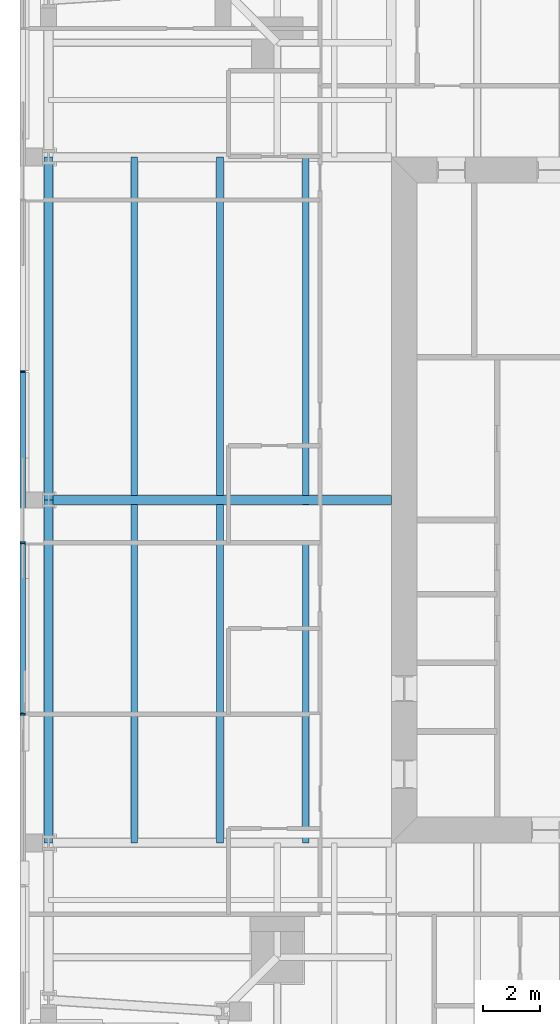
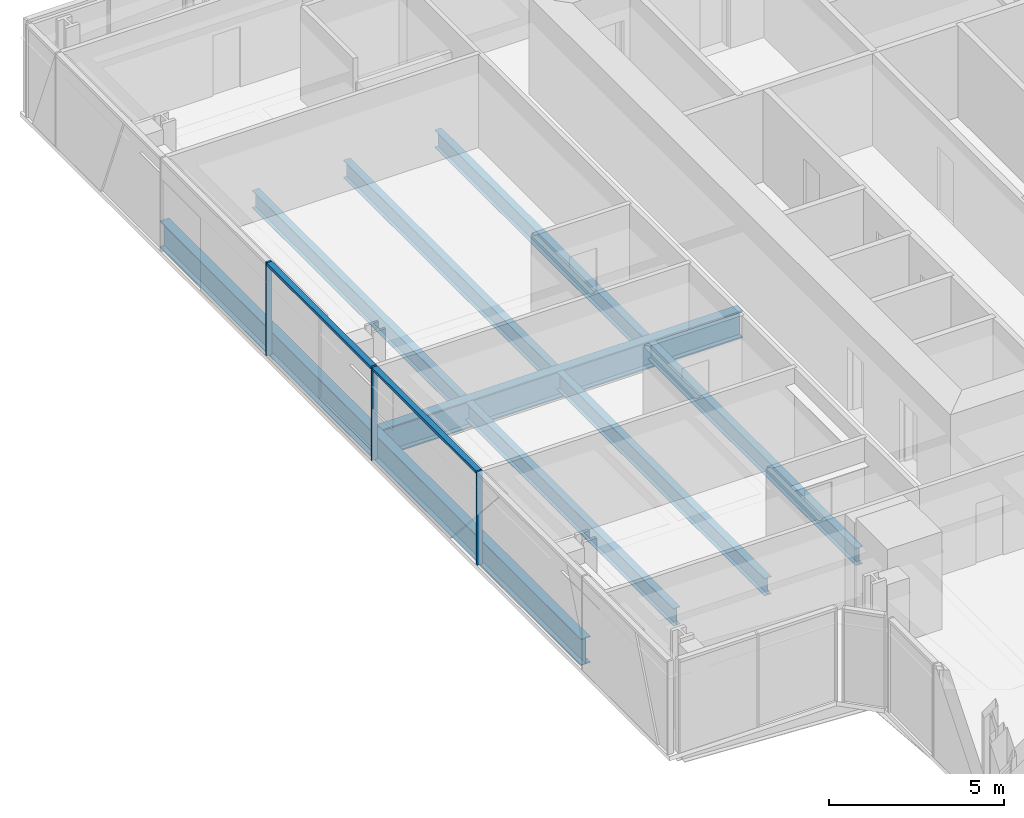
# One storey, part 4 of 20: 9 beams, 5 members, 1 element without a shape of its own.
"""IFC4 building model written with IfcOpenShell, lengths in metres."""

from ifc_helpers import new_model, si_unit, direction, frame, origin, origin_2d, place, context, subcontext, project, spatial, rectangle, i_section, extrude, material, material_profile, profile_set, type_object, element, aggregate, save


model = new_model("IFC4")

# Units and contexts
model_context = context("Model", 3, precision=1e-05, world=origin(), true_north=direction((0.0, 1.0)))
body_context = subcontext(model_context, "Body", "Model", "MODEL_VIEW")
ifc_project = project(units=[si_unit("LENGTHUNIT", "METRE"), si_unit("AREAUNIT", "SQUARE_METRE"), si_unit("VOLUMEUNIT", "CUBIC_METRE"), si_unit("PLANEANGLEUNIT", "RADIAN"), si_unit("MASSUNIT", "GRAM", prefix="KILO")], contexts=[model_context])

# Site, building, storey
site_placement = place(None, origin())
site = spatial("IfcSite", under=ifc_project, at=site_placement, CompositionType="ELEMENT")
building_placement = place(site_placement, origin())
building = spatial("IfcBuilding", under=site, at=building_placement, Name="Fenwick Lantern Interchange", CompositionType="ELEMENT")
storey_placement = place(building_placement, frame((0.0, 0.0, 286.60009765625)))
storey = spatial("IfcBuildingStorey", under=building, at=storey_placement, Name="L69", CompositionType="ELEMENT", Elevation=286.60009765625)

# Beams
ifc_material_1 = material(Name="Steel ASTM A992 Grade 50", Category="steel")
ifc_material_profile_1 = material_profile(ifc_material_1, i_section(OverallWidth=0.3046875, OverallDepth=0.911865234375, WebThickness=0.015869140625, FlangeThickness=0.02392578125, at=origin_2d()), Name="W36X150")
ifc_profile_set_1 = profile_set([ifc_material_profile_1], Name="Steel ASTM A992 Grade 50")
beam_type_1 = type_object("IfcBeamType", Name="EDGE BEAM W36X150", PredefinedType="SPANDREL", material=ifc_profile_set_1)
for number, where, z_axis, x_axis, name in (
    (1, (1.0, 37.0, -0.60595703125), (0.0, -1.0, 0.0), (1.0, 0.0, 0.0), "L69/FR/W/EB2"),
    (2, (1.0, 25.0, -0.60595703125), (0.0, -1.0, 0.0), (1.0, 0.0, 0.0), "L69/FR/W/EB3"),
):
    element("IfcBeam", number, at=place(storey_placement, frame(where, z_axis=z_axis, x_axis=x_axis)), inside=storey, type_object=beam_type_1, Name=name, PredefinedType="SPANDREL", context=body_context, shape_type="SweptSolid", body=[
        extrude(i_section(OverallWidth=0.3046875, OverallDepth=0.911865234375, WebThickness=0.015869140625, FlangeThickness=0.02392578125, at=origin_2d()), origin(), (0.0, 0.0, 1.0), 12.0),
    ])
ifc_material_profile_2 = material_profile(ifc_material_1, i_section(OverallWidth=0.22900390625, OverallDepth=0.612060546875, WebThickness=0.011962890625, FlangeThickness=0.01953125, at=origin_2d()), Name="W24X84")
ifc_profile_set_2 = profile_set([ifc_material_profile_2], Name="Steel ASTM A992 Grade 50")
beam_type_2 = type_object("IfcBeamType", Name="FLOOR BEAM W24X84", PredefinedType="BEAM", material=ifc_profile_set_2)
for number, where, z_axis, x_axis, name in (
    (3, (4.0, 37.0, -0.4560546875), (0.0, -1.0, 0.0), (1.0, 0.0, 0.0), "L69/FR/W/B01"),
    (4, (7.0, 37.0, -0.4560546875), (0.0, -1.0, 0.0), (1.0, 0.0, 0.0), "L69/FR/W/B02"),
    (5, (10.0, 37.0, -0.4560546875), (0.0, -1.0, 0.0), (1.0, 0.0, 0.0), "L69/FR/W/B03"),
    (6, (4.0, 24.844970703125, -0.4560546875), (0.0, -1.0, 0.0), (1.0, 0.0, 0.0), "L69/FR/W/B04"),
    (7, (7.0, 24.844970703125, -0.4560546875), (0.0, -1.0, 0.0), (1.0, 0.0, 0.0), "L69/FR/W/B05"),
    (8, (10.0, 24.844970703125, -0.4560546875), (0.0, -1.0, 0.0), (1.0, 0.0, 0.0), "L69/FR/W/B06"),
):
    element("IfcBeam", number, at=place(storey_placement, frame(where, z_axis=z_axis, x_axis=x_axis)), inside=storey, type_object=beam_type_2, Name=name, PredefinedType="BEAM", context=body_context, shape_type="SweptSolid", body=[
        extrude(i_section(OverallWidth=0.22900390625, OverallDepth=0.612060546875, WebThickness=0.011962890625, FlangeThickness=0.01953125, at=origin_2d()), origin(), (0.0, 0.0, 1.0), 11.844970703125),
    ])

# Curtain wall, members
ifc_material_2 = material(Name="Aluminium curtain wall frame", Category="aluminium")
curtain_wall_type = type_object("IfcCurtainWallType", Name="HOTEL CURTAIN WALL", PredefinedType="USERDEFINED", material=ifc_material_2)
curtain_wall_placement = place(storey_placement, origin())
curtain_wall = element("IfcCurtainWall", 9, at=curtain_wall_placement, inside=storey, type_object=curtain_wall_type, Name="Hotel curtain wall 13", ObjectType="HOTEL CURTAIN WALL", PredefinedType="USERDEFINED")
ifc_material_3 = material(Name="Aluminium extrusion", Category="aluminium")
ifc_material_profile_3 = material_profile(ifc_material_3, rectangle(XDim=0.179931640625, YDim=0.06005859375, at=origin_2d()), Name="HOTEL CURTAIN WALL MULLION 60 X 180")
ifc_profile_set_3 = profile_set([ifc_material_profile_3], Name="Aluminium extrusion")
member_type_1 = type_object("IfcMemberType", Name="HOTEL CURTAIN WALL MULLION 60 X 180", PredefinedType="MULLION", material=ifc_profile_set_3)
member_1_placement = place(storey_placement, frame((0.10009765625, 29.5, 0.0), z_axis=(0.0, 0.0, 1.0), x_axis=(1.0, 0.0, 0.0)))
member_1 = element("IfcMember", 10, at=member_1_placement, type_object=member_type_1, Name="L69/CW/13/M03", PredefinedType="MULLION", context=body_context, shape_type="SweptSolid", body=[
    extrude(rectangle(XDim=0.179931640625, YDim=0.06005859375, at=origin_2d()), origin(), (0.0, 0.0, 1.0), 3.25),
])
member_2_placement = place(storey_placement, frame((0.10009765625, 23.5, 0.0), z_axis=(0.0, 0.0, 1.0), x_axis=(1.0, 0.0, 0.0)))
member_2 = element("IfcMember", 11, at=member_2_placement, type_object=member_type_1, Name="L69/CW/13/M04", PredefinedType="MULLION", context=body_context, shape_type="SweptSolid", body=[
    extrude(rectangle(XDim=0.179931640625, YDim=0.06005859375, at=origin_2d()), origin(), (0.0, 0.0, 1.0), 3.25),
])
member_3_placement = place(storey_placement, frame((0.10009765625, 17.5, 0.0), z_axis=(0.0, 0.0, 1.0), x_axis=(1.0, 0.0, 0.0)))
member_3 = element("IfcMember", 12, at=member_3_placement, type_object=member_type_1, Name="L69/CW/13/M05", PredefinedType="MULLION", context=body_context, shape_type="SweptSolid", body=[
    extrude(rectangle(XDim=0.179931640625, YDim=0.06005859375, at=origin_2d()), origin(), (0.0, 0.0, 1.0), 3.25),
])
ifc_material_profile_4 = material_profile(ifc_material_3, rectangle(XDim=0.179931640625, YDim=0.10009765625, at=origin_2d()), Name="HOTEL CURTAIN WALL TRANSOM 100 X 180")
ifc_profile_set_4 = profile_set([ifc_material_profile_4], Name="Aluminium extrusion")
member_type_2 = type_object("IfcMemberType", Name="HOTEL CURTAIN WALL TRANSOM 100 X 180", PredefinedType="MULLION", material=ifc_profile_set_4)
member_4_placement = place(storey_placement, frame((0.10009765625, 29.469970703125, 3.199951171875), z_axis=(0.0, -1.0, 0.0), x_axis=(1.0, 0.0, 0.0)))
member_4 = element("IfcMember", 13, at=member_4_placement, type_object=member_type_2, Name="L69/CW/13/T03", PredefinedType="MULLION", context=body_context, shape_type="SweptSolid", body=[
    extrude(rectangle(XDim=0.179931640625, YDim=0.10009765625, at=origin_2d()), origin(), (0.0, 0.0, 1.0), 5.93994140625),
])
member_5_placement = place(storey_placement, frame((0.10009765625, 23.469970703125, 3.199951171875), z_axis=(0.0, -1.0, 0.0), x_axis=(1.0, 0.0, 0.0)))
member_5 = element("IfcMember", 14, at=member_5_placement, type_object=member_type_2, Name="L69/CW/13/T04", PredefinedType="MULLION", context=body_context, shape_type="SweptSolid", body=[
    extrude(rectangle(XDim=0.179931640625, YDim=0.10009765625, at=origin_2d()), origin(), (0.0, 0.0, 1.0), 5.93994140625),
])
aggregate(curtain_wall, [member_1, member_2, member_3, member_4, member_5])

# Beam
ifc_material_profile_5 = material_profile(ifc_material_1, i_section(OverallWidth=0.309814453125, OverallDepth=0.949951171875, WebThickness=0.0244140625, FlangeThickness=0.0439453125, at=origin_2d()), Name="W36X256")
ifc_profile_set_5 = profile_set([ifc_material_profile_5], Name="Steel ASTM A992 Grade 50")
beam_type_3 = type_object("IfcBeamType", Name="MOMENT-CONNECTED GIRDER W36X256", PredefinedType="BEAM", material=ifc_profile_set_5)
beam_placement = place(storey_placement, frame((1.0, 25.0, -0.625), z_axis=(1.0, 0.0, 0.0), x_axis=(0.0, 1.0, 0.0)))
element("IfcBeam", 15, at=beam_placement, inside=storey, type_object=beam_type_3, Name="L69/FR/W/R02", PredefinedType="BEAM", context=body_context, shape_type="SweptSolid", body=[
    extrude(i_section(OverallWidth=0.309814453125, OverallDepth=0.949951171875, WebThickness=0.0244140625, FlangeThickness=0.0439453125, at=origin_2d()), origin(), (0.0, 0.0, 1.0), 12.0),
])

save(model, "model.ifc")
